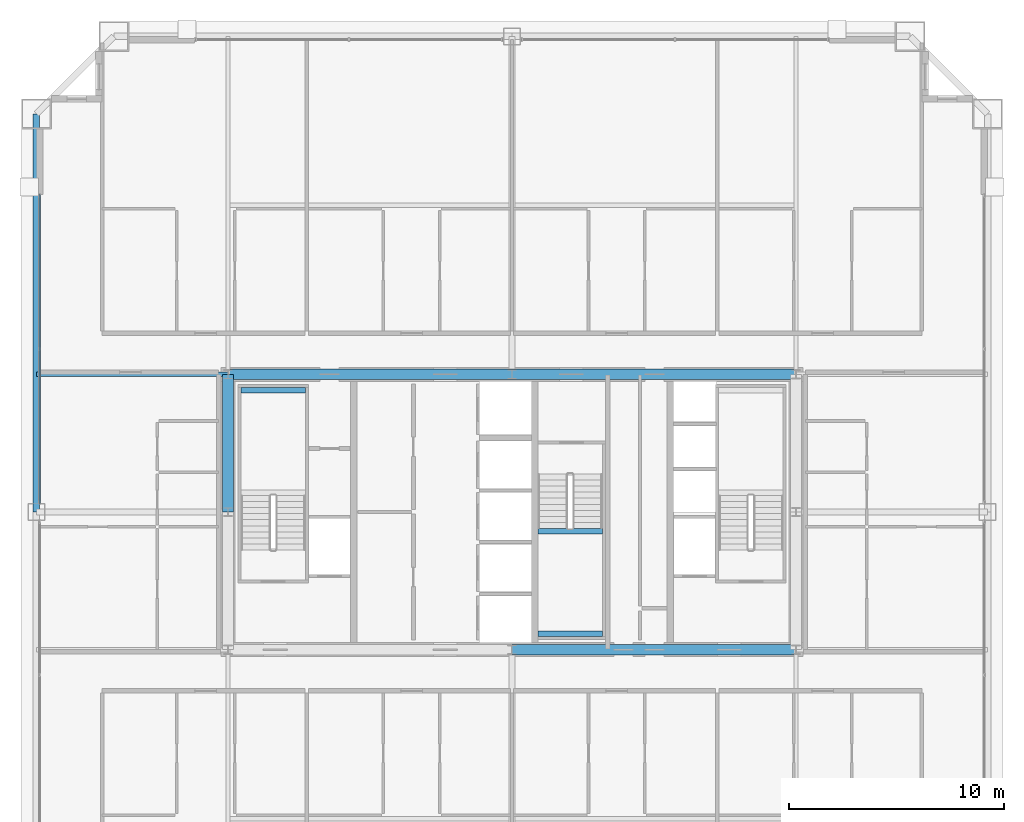
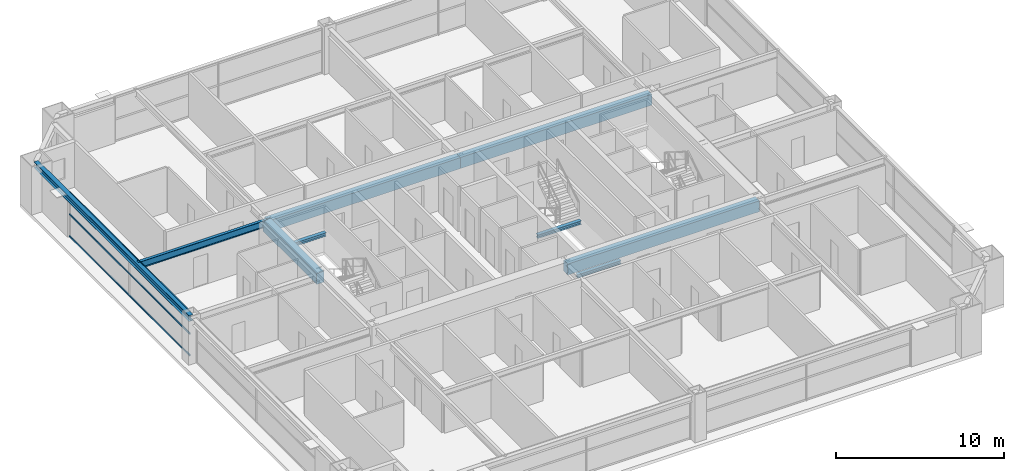
# One storey, part 15 of 38: 9 beams, 3 members, 1 element without a shape of its own.
"""IFC4 building model written with IfcOpenShell, lengths in metres."""

from ifc_helpers import new_model, si_unit, direction, frame, origin, origin_2d, place, context, subcontext, project, spatial, rectangle, hollow_rectangle, i_section, extrude, source, transform, mapped, material, layer, layer_set, material_profile, profile_set, type_object, element, aggregate, save


model = new_model("IFC4")

# Units and contexts
model_context = context("Model", 3, precision=1e-05, world=origin(), true_north=direction((0.0, 1.0)))
body_context = subcontext(model_context, "Body", "Model", "MODEL_VIEW")
ifc_project = project(units=[si_unit("LENGTHUNIT", "METRE"), si_unit("AREAUNIT", "SQUARE_METRE"), si_unit("VOLUMEUNIT", "CUBIC_METRE"), si_unit("PLANEANGLEUNIT", "RADIAN"), si_unit("MASSUNIT", "GRAM", prefix="KILO"), si_unit("THERMODYNAMICTEMPERATUREUNIT", "KELVIN"), si_unit("POWERUNIT", "WATT")], contexts=[model_context])

# Site, building, storey
site_placement = place(None, origin())
site = spatial("IfcSite", under=ifc_project, at=site_placement, CompositionType="ELEMENT")
building_placement = place(site_placement, origin())
building = spatial("IfcBuilding", under=site, at=building_placement, Name="Yuzanri Waterfront Tower", CompositionType="ELEMENT")
storey_placement = place(building_placement, frame((0.0, 0.0, 188.0)))
storey = spatial("IfcBuildingStorey", under=building, at=storey_placement, Name="L49", CompositionType="ELEMENT", Elevation=188.0)

# Beams
ifc_material_1 = material(Name="Steel Q355B", Category="steel")
ifc_material_profile_1 = material_profile(ifc_material_1, i_section(OverallWidth=0.300048828125, OverallDepth=0.43994140625, WebThickness=0.010986328125, FlangeThickness=0.01806640625, at=origin_2d()), Name="HM 440x300x11x18")
ifc_profile_set_1 = profile_set([ifc_material_profile_1], Name="Steel Q355B")
beam_type_1 = type_object("IfcBeamType", Name="Perimeter Spandrel Q355B HM 440x300", PredefinedType="SPANDREL", material=ifc_profile_set_1)
shared_shape_1 = source(origin(), body_context, "Body", "SweptSolid", [
    extrude(i_section(OverallWidth=0.300048828125, OverallDepth=0.43994140625, WebThickness=0.010986328125, FlangeThickness=0.01806640625, at=origin_2d()), origin(), (0.0, 0.0, 1.0), 18.5),
])
beam_1_placement = place(storey_placement, frame((14.89990234375, 44.300048828125, 3.06005859375), z_axis=(0.0, -1.0, 0.0), x_axis=(1.0, 0.0, 0.0)))
element("IfcBeam", 1, at=beam_1_placement, inside=storey, type_object=beam_type_1, Name="L49 Perimeter Spandrel W3-W2", PredefinedType="SPANDREL", context=body_context, shape_type="MappedRepresentation", body=[
    mapped(shared_shape_1, transform((0.0, 0.0, 0.0), scale=1.0)),
])
ifc_material_2 = material(Name="Steel Q355B", Category="steel")
ifc_material_profile_2 = material_profile(ifc_material_2, i_section(OverallWidth=0.199951171875, OverallDepth=0.5, WebThickness=0.010009765625, FlangeThickness=0.01611328125, at=origin_2d()), Name="HN 500x200x10x16")
ifc_profile_set_2 = profile_set([ifc_material_profile_2], Name="Steel Q355B")
beam_type_2 = type_object("IfcBeamType", Name="Secondary Floor Beam Q355B HN 500x200", PredefinedType="BEAM", material=ifc_profile_set_2)
shared_shape_2 = source(origin(), body_context, "Body", "SweptSolid", [
    extrude(i_section(OverallWidth=0.199951171875, OverallDepth=0.5, WebThickness=0.010009765625, FlangeThickness=0.01611328125, at=origin_2d()), origin(), (0.0, 0.0, 1.0), 8.900146484375),
])
beam_2_placement = place(storey_placement, frame((23.800048828125, 32.199951171875, 3.030029296875), z_axis=(-1.0, 0.0, 0.0), x_axis=(0.0, -1.0, 0.0)))
element("IfcBeam", 2, at=beam_2_placement, inside=storey, type_object=beam_type_2, Name="L49 West-North Core Line Beam", PredefinedType="BEAM", context=body_context, shape_type="MappedRepresentation", body=[
    mapped(shared_shape_2, transform((0.0, 0.0, 0.0), scale=1.0)),
])
ifc_material_3 = material(Name="Concrete C50", Category="concrete")
ifc_material_profile_3 = material_profile(ifc_material_3, rectangle(XDim=0.5, YDim=0.800048828125, at=origin_2d()), Name="RC 500x800")
ifc_profile_set_3 = profile_set([ifc_material_profile_3], Name="Concrete C50")
beam_type_3 = type_object("IfcBeamType", Name="Core Coupling Lintel Concrete C50 500x800", PredefinedType="LINTEL", material=ifc_profile_set_3)
shared_shape_3 = source(origin(), body_context, "Body", "SweptSolid", [
    extrude(rectangle(XDim=0.5, YDim=0.800048828125, at=origin_2d()), origin(), (0.0, 0.0, 1.0), 13.199951171875),
])
for number, where, z_axis, x_axis, name in (
    (3, (37.0, 19.39990234375, 2.8798828125), (1.0, 0.0, 0.0), (0.0, 1.0, 0.0), "L49 Core Tie Beam CS2"),
    (4, (23.800048828125, 32.199951171875, 2.8798828125), (1.0, 0.0, 0.0), (0.0, 1.0, 0.0), "L49 Core Tie Beam CN1"),
    (5, (37.0, 32.199951171875, 2.8798828125), (1.0, 0.0, 0.0), (0.0, 1.0, 0.0), "L49 Core Tie Beam CN2"),
):
    element("IfcBeam", number, at=place(storey_placement, frame(where, z_axis=z_axis, x_axis=x_axis)), inside=storey, type_object=beam_type_3, Name=name, PredefinedType="LINTEL", context=body_context, shape_type="MappedRepresentation", body=[
        mapped(shared_shape_3, transform((0.0, 0.0, 0.0), scale=1.0)),
    ])
shared_shape_4 = source(origin(), body_context, "Body", "SweptSolid", [
    extrude(rectangle(XDim=0.5, YDim=0.800048828125, at=origin_2d()), origin(), (0.0, 0.0, 1.0), 6.39990234375),
])
beam_3_placement = place(storey_placement, frame((23.800048828125, 25.800048828125, 2.8798828125), z_axis=(0.0, 1.0, 0.0), x_axis=(-1.0, 0.0, 0.0)))
element("IfcBeam", 6, at=beam_3_placement, inside=storey, type_object=beam_type_3, Name="L49 Core Tie Beam CW2", PredefinedType="LINTEL", context=body_context, shape_type="MappedRepresentation", body=[
    mapped(shared_shape_4, transform((0.0, 0.0, 0.0), scale=1.0)),
])

# Curtain wall, members
ifc_material_4 = material(Name="Anodized Architectural Bronze", Category="metal")
ifc_layer = layer(ifc_material_4, 0.159912109375)
ifc_layer_set = layer_set([ifc_layer], Name="Anodized Architectural Bronze")
curtain_wall_type = type_object("IfcCurtainWallType", Name="Anodized Bronze Mid-Rise Residential Acoustic Unitized Curtain Wall 7200", PredefinedType="NOTDEFINED", material=ifc_layer_set)
curtain_wall_placement = place(storey_placement, origin())
curtain_wall = element("IfcCurtainWall", 7, at=curtain_wall_placement, inside=storey, type_object=curtain_wall_type, Name="L49 Curtain Wall CW-L49-WR", PredefinedType="NOTDEFINED")
ifc_material_5 = material(Name="Anodized Architectural Bronze", Category="metal")
ifc_material_profile_4 = material_profile(ifc_material_5, hollow_rectangle(XDim=0.06494140625, YDim=0.1201171875, WallThickness=0.00341796875, at=origin_2d()), Name="CWT 65x120")
ifc_profile_set_4 = profile_set([ifc_material_profile_4], Name="Anodized Architectural Bronze")
member_type = type_object("IfcMemberType", Name="Anodized Bronze Secondary Curtain-Wall Transom 65x120", PredefinedType="USERDEFINED", material=ifc_profile_set_4)
shared_shape_5 = source(origin(), body_context, "Body", "SweptSolid", [
    extrude(hollow_rectangle(XDim=0.06494140625, YDim=0.1201171875, WallThickness=0.00341796875, at=origin_2d()), origin(), (0.0, 0.0, 1.0), 14.35009765625),
])
member_1_placement = place(storey_placement, frame((15.050048828125, 26.199951171875, 0.050048828125), z_axis=(0.0, 1.0, 0.0), x_axis=(-1.0, 0.0, 0.0)))
member_1 = element("IfcMember", 8, at=member_1_placement, type_object=member_type, Name="CW-L49-WR Transom 1", ObjectType="TRANSOM", PredefinedType="USERDEFINED", context=body_context, shape_type="MappedRepresentation", body=[
    mapped(shared_shape_5, transform((0.0, 0.0, 0.0), scale=1.0)),
])
member_2_placement = place(storey_placement, frame((15.050048828125, 26.199951171875, 1.639892578125), z_axis=(0.0, 1.0, 0.0), x_axis=(-1.0, 0.0, 0.0)))
member_2 = element("IfcMember", 9, at=member_2_placement, type_object=member_type, Name="CW-L49-WR Transom 2", ObjectType="TRANSOM", PredefinedType="USERDEFINED", context=body_context, shape_type="MappedRepresentation", body=[
    mapped(shared_shape_5, transform((0.0, 0.0, 0.0), scale=1.0)),
])
member_3_placement = place(storey_placement, frame((15.050048828125, 26.199951171875, 3.22998046875), z_axis=(0.0, 1.0, 0.0), x_axis=(-1.0, 0.0, 0.0)))
member_3 = element("IfcMember", 10, at=member_3_placement, type_object=member_type, Name="CW-L49-WR Transom 3", ObjectType="TRANSOM", PredefinedType="USERDEFINED", context=body_context, shape_type="MappedRepresentation", body=[
    mapped(shared_shape_5, transform((0.0, 0.0, 0.0), scale=1.0)),
])
aggregate(curtain_wall, [member_1, member_2, member_3])

# Beams
ifc_material_6 = material(Name="Steel Q355B", Category="steel")
ifc_material_profile_5 = material_profile(ifc_material_6, i_section(OverallWidth=0.25, OverallDepth=0.25, WebThickness=0.009033203125, FlangeThickness=0.013916015625, at=origin_2d()), Name="HW 250x250x9x14")
ifc_profile_set_5 = profile_set([ifc_material_profile_5], Name="Steel Q355B")
beam_type_4 = type_object("IfcBeamType", Name="Stair Landing Support Beam Q355B HW 250x250", PredefinedType="BEAM", material=ifc_profile_set_5)
shared_shape_6 = source(origin(), body_context, "Body", "SweptSolid", [
    extrude(i_section(OverallWidth=0.25, OverallDepth=0.25, WebThickness=0.009033203125, FlangeThickness=0.013916015625, at=origin_2d()), origin(), (0.0, 0.0, 1.0), 3.0),
])
for number, where, z_axis, x_axis, name in (
    (11, (24.39990234375, 31.449951171875, 1.425048828125), (1.0, 0.0, 0.0), (0.0, 1.0, 0.0), "L49 Stair Landing Support Beam ST-01-L49-L1-2"),
    (12, (38.199951171875, 20.14990234375, 1.425048828125), (1.0, 0.0, 0.0), (0.0, 1.0, 0.0), "L49 Stair Landing Support Beam ST-03-L49-L1-1"),
    (13, (38.199951171875, 24.909912109375, 1.425048828125), (1.0, 0.0, 0.0), (0.0, 1.0, 0.0), "L49 Stair Landing Support Beam ST-03-L49-L1-2"),
):
    element("IfcBeam", number, at=place(storey_placement, frame(where, z_axis=z_axis, x_axis=x_axis)), inside=storey, type_object=beam_type_4, Name=name, PredefinedType="BEAM", context=body_context, shape_type="MappedRepresentation", body=[
        mapped(shared_shape_6, transform((0.0, 0.0, 0.0), scale=1.0)),
    ])

save(model, "model.ifc")
